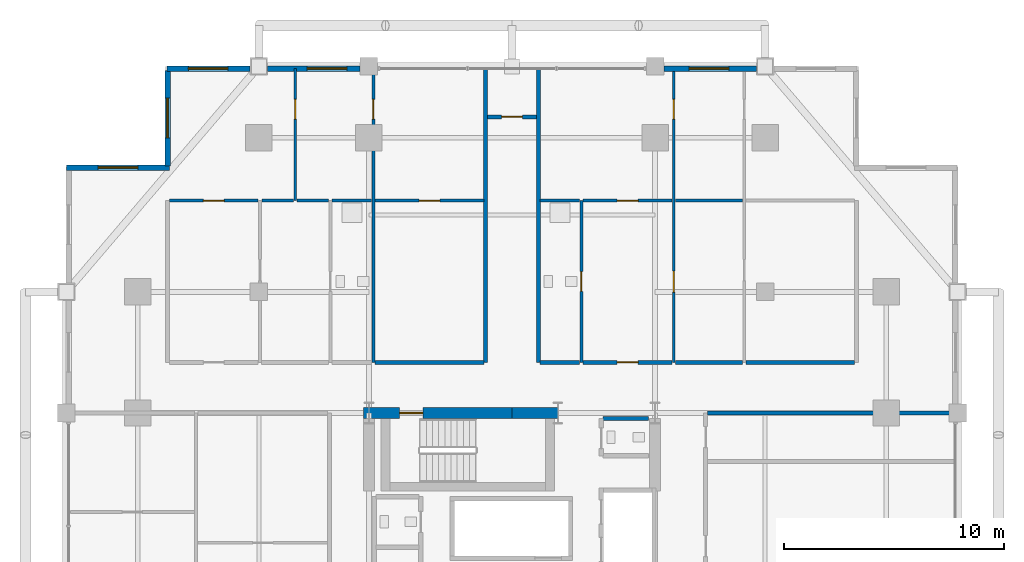
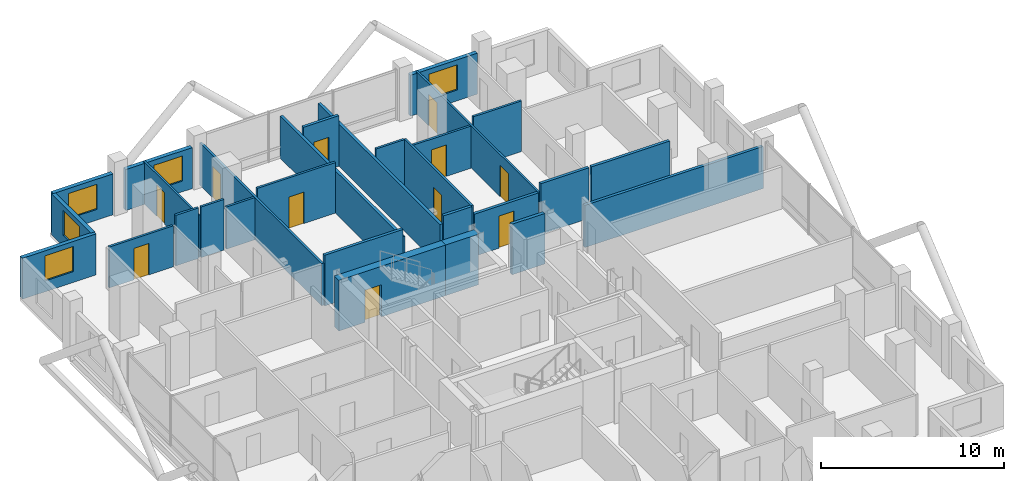
# One storey, part 22 of 25: 29 walls, 11 doors, 5 windows, 16 openings.
"""IFC4 building model written with IfcOpenShell, lengths in metres."""

import ifcopenshell
import ifcopenshell.guid

model = None  # the IFC model being written
_history = None  # IfcOwnerHistory: only IFC2X3 demands one
_inside = {}  # id of a spatial element -> (the spatial element, [elements in it])
_under = {}  # id of a project, library or spatial element -> (it, [spatial elements below it])
_declared = {}  # id of a project -> (the project, [libraries it declares])
_typed = {}  # id of a type object -> (the type object, [elements of that type])
_made_of = {}  # id of a material, layer set ... -> (it, [elements and type objects made of it])


def new_model(schema):
    """Start an empty IFC model of exactly this schema.

    Asked for "IFC4X3", IfcOpenShell would pick the latest addendum, in which some entities
    have other attributes; the version numbers below select the first issue.
    IFC2X3 requires an IfcOwnerHistory on every rooted entity: one is made here for all.
    """
    global model, _history
    if schema == "IFC4X3":
        model = ifcopenshell.file(schema_version=(4, 3, 0, 0))
    else:
        model = ifcopenshell.file(schema=schema)
    _inside.clear()
    _under.clear()
    _declared.clear()
    _typed.clear()
    _made_of.clear()
    _history = None
    if model.schema == "IFC2X3":
        org = make("IfcOrganization", Name="unknown")
        user = make(
            "IfcPersonAndOrganization",
            ThePerson=make("IfcPerson", FamilyName="unknown"),
            TheOrganization=org,
        )
        app = make(
            "IfcApplication",
            ApplicationDeveloper=org,
            Version="unknown",
            ApplicationFullName="unknown",
            ApplicationIdentifier="unknown",
        )
        _history = make(
            "IfcOwnerHistory",
            OwningUser=user,
            OwningApplication=app,
            ChangeAction="ADDED",
            CreationDate=0,
        )
    return model


def make(cls, **values):
    """One entity of the class cls with the attributes given. An attribute that is None is left unset."""
    return model.create_entity(
        cls, **{name: value for name, value in values.items() if value is not None}
    )


def rooted(cls, **values):
    """An entity with a GlobalId (a new one), such as an element, a storey or a relation."""
    return make(cls, GlobalId=ifcopenshell.guid.new(), OwnerHistory=_history, **values)


def si_unit(unit_type, name, prefix=None):
    """IfcSIUnit, for example si_unit("LENGTHUNIT", "METRE", prefix="MILLI")."""
    return make("IfcSIUnit", UnitType=unit_type, Prefix=prefix, Name=name)


def assignment(units):
    """IfcUnitAssignment: the units of a project."""
    return None if units is None else make("IfcUnitAssignment", Units=units)


def point(xyz):
    """IfcCartesianPoint."""
    return None if xyz is None else make("IfcCartesianPoint", Coordinates=xyz)


def direction(xyz):
    """IfcDirection."""
    return None if xyz is None else make("IfcDirection", DirectionRatios=xyz)


def frame(location, z_axis=None, x_axis=None):
    """IfcAxis2Placement3D, a coordinate frame: its origin and axes. An axis left out is left unset."""
    return make(
        "IfcAxis2Placement3D",
        Location=point(location),
        Axis=direction(z_axis),
        RefDirection=direction(x_axis),
    )


def frame_2d(location, x_axis=None):
    """IfcAxis2Placement2D, a coordinate frame in the plane: its origin and x axis."""
    return make(
        "IfcAxis2Placement2D", Location=point(location), RefDirection=direction(x_axis)
    )


def origin():
    """The frame at (0, 0, 0) with its axes left unset."""
    return frame((0.0, 0.0, 0.0))


def place(relative_to, where):
    """IfcLocalPlacement: puts the frame where relative to a parent placement (None: the world)."""
    return make(
        "IfcLocalPlacement", PlacementRelTo=relative_to, RelativePlacement=where
    )


def context(
    kind, dimensions, precision=None, world=None, true_north=None, identifier=None
):
    """IfcGeometricRepresentationContext, for example the 3D "Model" context."""
    return make(
        "IfcGeometricRepresentationContext",
        ContextIdentifier=identifier,
        ContextType=kind,
        CoordinateSpaceDimension=dimensions,
        Precision=precision,
        WorldCoordinateSystem=world,
        TrueNorth=true_north,
    )


def subcontext(parent, identifier, kind, view, scale=None):
    """IfcGeometricRepresentationSubContext, for example "Body" below "Model"."""
    return make(
        "IfcGeometricRepresentationSubContext",
        ContextIdentifier=identifier,
        ContextType=kind,
        ParentContext=parent,
        TargetScale=scale,
        TargetView=view,
    )


def project(units=None, contexts=None):
    """IfcProject with its units and contexts."""
    return rooted(
        "IfcProject",
        Name="project",
        RepresentationContexts=contexts,
        UnitsInContext=assignment(units),
    )


def spatial(cls, under=None, at=None, **own):
    """A site, building, storey or space (cls), placed at a placement, below another one or the project."""
    s = rooted(cls, ObjectPlacement=at, **own)
    if under is not None:
        _under.setdefault(under.id(), (under, []))[1].append(s)
    return s


def profile(cls, at=None, kind="AREA", **sizes):
    """A parametric profile (cls). Its sizes go by their IFC names, for example OverallWidth=200.0."""
    return make(cls, ProfileType=kind, Position=at, **sizes)


def rectangle(**sizes):
    """IfcRectangleProfileDef."""
    return profile("IfcRectangleProfileDef", **sizes)


def extrude(swept, where, along, depth):
    """IfcExtrudedAreaSolid: the profile swept, set in the frame where, extruded along a direction by depth."""
    return make(
        "IfcExtrudedAreaSolid",
        SweptArea=swept,
        Position=where,
        ExtrudedDirection=direction(along),
        Depth=depth,
    )


def shape(context_of_items, identifier, shape_type, items):
    """IfcShapeRepresentation: the items that make up one representation, for example the "Body"."""
    return make(
        "IfcShapeRepresentation",
        ContextOfItems=context_of_items,
        RepresentationIdentifier=identifier,
        RepresentationType=shape_type,
        Items=items,
    )


def material(Name=None, Category=None):
    """IfcMaterial."""
    return make("IfcMaterial", Name=Name, Category=Category)


def layer(
    of_material, thickness, ventilated=None, Name=None, Category=None, Priority=None
):
    """IfcMaterialLayer: one layer of a wall or slab, of a material (None: an air gap)."""
    return make(
        "IfcMaterialLayer",
        Material=of_material,
        LayerThickness=thickness,
        IsVentilated=ventilated,
        Name=Name,
        Category=Category,
        Priority=Priority,
    )


def layer_set(layers, Name=None):
    """IfcMaterialLayerSet."""
    return make("IfcMaterialLayerSet", MaterialLayers=layers, LayerSetName=Name)


def made_of(thing, what):
    """Note that an element or type object is made of a material, layer set ...; save() writes the relation."""
    if what is not None:
        _made_of.setdefault(what.id(), (what, []))[1].append(thing)
    return thing


def type_object(cls, material=None, **own):
    """A type object (cls), such as IfcWallType, which elements share."""
    return made_of(rooted(cls, **own), material)


def element(
    cls,
    number,
    at=None,
    inside=None,
    cuts=None,
    type_object=None,
    material=None,
    context=None,
    identifier="Body",
    shape_type=None,
    held_by="IfcProductDefinitionShape",
    body=None,
    shapes=None,
    **own,
):
    """One element of the class cls, such as IfcWall. Its Tag is "e" and its number.

    at: its placement. inside: the storey or other place that contains it. cuts: it is an
    opening in that element (IfcRelVoidsElement). A single representation is given by context,
    identifier, shape_type and body (its items); several are given by shapes. held_by: the class
    of the entity that holds the representations. save() writes the other relations.
    """
    e = rooted(cls, Tag="e%d" % number, ObjectPlacement=at, **own)
    if body is not None:
        shapes = [shape(context, identifier, shape_type, body)]
    if shapes is not None:
        e.Representation = make(held_by, Representations=shapes)
    if inside is not None:
        _inside.setdefault(inside.id(), (inside, []))[1].append(e)
    if cuts is not None:
        rooted(
            "IfcRelVoidsElement", RelatingBuildingElement=cuts, RelatedOpeningElement=e
        )
    if type_object is not None:
        _typed.setdefault(type_object.id(), (type_object, []))[1].append(e)
    return made_of(e, material)


def fill(opening, filler):
    """IfcRelFillsElement: the door or window that sits in an opening."""
    return rooted(
        "IfcRelFillsElement",
        RelatingOpeningElement=opening,
        RelatedBuildingElement=filler,
    )


def aggregate(whole, parts):
    """IfcRelAggregates: a whole, such as a stair, and the parts it consists of."""
    return rooted("IfcRelAggregates", RelatingObject=whole, RelatedObjects=parts)


def save(model, path):
    """Write the relations noted so far, then the file.

    IfcRelAggregates (storeys below a building ...), IfcRelContainedInSpatialStructure (elements
    in a storey), IfcRelDefinesByType, IfcRelAssociatesMaterial and IfcRelDeclares: one each for
    every whole, place, type object, material and project.
    """
    for whole, parts in _under.values():
        aggregate(whole, parts)
    for where, things in _inside.values():
        rooted(
            "IfcRelContainedInSpatialStructure",
            RelatedElements=things,
            RelatingStructure=where,
        )
    for kind, things in _typed.values():
        rooted("IfcRelDefinesByType", RelatedObjects=things, RelatingType=kind)
    for what, things in _made_of.values():
        rooted("IfcRelAssociatesMaterial", RelatedObjects=things, RelatingMaterial=what)
    for by, libraries in _declared.values():
        rooted("IfcRelDeclares", RelatingContext=by, RelatedDefinitions=libraries)
    model.write(path)


model = new_model("IFC4")

# Units and contexts
model_context = context("Model", 3, precision=1e-05, world=origin(), true_north=direction((0.0, 1.0)))
body_context = subcontext(model_context, "Body", "Model", "MODEL_VIEW")
ifc_project = project(units=[si_unit("LENGTHUNIT", "METRE"), si_unit("AREAUNIT", "SQUARE_METRE"), si_unit("VOLUMEUNIT", "CUBIC_METRE"), si_unit("PLANEANGLEUNIT", "RADIAN"), si_unit("MASSUNIT", "GRAM", prefix="KILO")], contexts=[model_context])

# Site, building, storey
site_placement = place(None, origin())
site = spatial("IfcSite", under=ifc_project, at=site_placement, CompositionType="ELEMENT")
building_placement = place(site_placement, origin())
building = spatial("IfcBuilding", under=site, at=building_placement, Name="Barlavira Tower and Art Museum", CompositionType="ELEMENT")
storey_placement = place(building_placement, frame((0.0, 0.0, 133.199951171875)))
storey = spatial("IfcBuildingStorey", under=building, at=storey_placement, Name="L33", CompositionType="ELEMENT", Elevation=133.199951171875)

# Wall, opening, door
ifc_material_1 = material(Name="Gypsum acoustic stud partition", Category="gypsum")
ifc_layer_1 = layer(ifc_material_1, 0.1201171875, Name="Gypsum acoustic stud partition")
ifc_layer_set_1 = layer_set([ifc_layer_1], Name="Gypsum acoustic stud partition")
wall_type_1 = type_object("IfcWallType", Name="Apartment Internal Acoustic Partition 120", PredefinedType="PARTITIONING", material=ifc_layer_set_1)
wall_1_placement = place(storey_placement, frame((-9.85009765625, 17.14990234375, 0.0), z_axis=(0.0, 0.0, 1.0), x_axis=(0.0, 1.0, 0.0)))
wall_1 = element("IfcWall", 1, at=wall_1_placement, inside=storey, type_object=wall_type_1, Name="L33 Partition Wall 7", PredefinedType="PARTITIONING", context=body_context, shape_type="SweptSolid", body=[
    extrude(rectangle(XDim=6.0, YDim=0.1201171875, at=frame_2d((3.0, 0.0))), origin(), (0.0, 0.0, 1.0), 2.816162109375),
])
opening_1_placement = place(wall_1_placement, frame((3.701171875, 0.0, 0.0)))
opening_1 = element("IfcOpeningElement", 2, at=opening_1_placement, cuts=wall_1, Name="Opening D-01", PredefinedType="OPENING", context=body_context, shape_type="SweptSolid", body=[
    extrude(rectangle(XDim=0.89990234375, YDim=2.10009765625, at=frame_2d((0.449951171875, 1.050048828125))), frame((0.0, 0.070068359375, 0.0), z_axis=(0.0, -1.0, 0.0), x_axis=(1.0, 0.0, 0.0)), (0.0, 0.0, 1.0), 0.14013671875),
])
ifc_material_2 = material(Name="Engineered coastal hardwood", Category="wood")
door_type_1 = type_object("IfcDoorType", Name="Internal Bedroom Timber Flush Door 900x2100", OperationType="NOTDEFINED", PredefinedType="DOOR", material=ifc_material_2)
door_1_placement = place(opening_1_placement, origin())
door_1 = element("IfcDoor", 3, at=door_1_placement, inside=storey, type_object=door_type_1, Name="Apartment NW1 Bedroom 1 Door", OperationType="SINGLE_SWING_RIGHT", OverallHeight=2.10009765625, OverallWidth=0.89990234375, PredefinedType="DOOR", context=body_context, shape_type="SweptSolid", body=[
    extrude(rectangle(XDim=0.89990234375, YDim=2.10009765625, at=frame_2d((0.449951171875, 1.050048828125))), frame((0.0, 0.02490234375, 0.0), z_axis=(0.0, -1.0, 0.0), x_axis=(1.0, 0.0, 0.0)), (0.0, 0.0, 1.0), 0.050048828125),
])
fill(opening_1, door_1)

# Wall, openings, doors
wall_2_placement = place(storey_placement, frame((7.35009765625, 9.800048828125, 0.0), z_axis=(0.0, 0.0, 1.0), x_axis=(0.0, 1.0, 0.0)))
wall_2 = element("IfcWall", 4, at=wall_2_placement, inside=storey, type_object=wall_type_1, Name="L33 Partition Wall 23", PredefinedType="PARTITIONING", context=body_context, shape_type="SweptSolid", body=[
    extrude(rectangle(XDim=13.349853515625, YDim=0.1201171875, at=frame_2d((6.6748046875, 0.0))), origin(), (0.0, 0.0, 1.0), 2.816162109375),
])
opening_2_placement = place(wall_2_placement, frame((3.195068359375, 0.0, 0.0)))
opening_2 = element("IfcOpeningElement", 5, at=opening_2_placement, cuts=wall_2, Name="Opening D-02", PredefinedType="OPENING", context=body_context, shape_type="SweptSolid", body=[
    extrude(rectangle(XDim=0.949951171875, YDim=2.10009765625, at=frame_2d((0.47509765625, 1.050048828125))), frame((0.0, 0.070068359375, 0.0), z_axis=(0.0, -1.0, 0.0), x_axis=(1.0, 0.0, 0.0)), (0.0, 0.0, 1.0), 0.14013671875),
])
opening_3_placement = place(wall_2_placement, frame((11.051025390625, 0.0, 0.0)))
opening_3 = element("IfcOpeningElement", 6, at=opening_3_placement, cuts=wall_2, Name="Opening D-01", PredefinedType="OPENING", context=body_context, shape_type="SweptSolid", body=[
    extrude(rectangle(XDim=0.89990234375, YDim=2.10009765625, at=frame_2d((0.449951171875, 1.050048828125))), frame((0.0, 0.070068359375, 0.0), z_axis=(0.0, -1.0, 0.0), x_axis=(1.0, 0.0, 0.0)), (0.0, 0.0, 1.0), 0.14013671875),
])
door_2_placement = place(opening_3_placement, origin())
door_2 = element("IfcDoor", 7, at=door_2_placement, inside=storey, type_object=door_type_1, Name="Apartment NE1 Bedroom 1 Door", OperationType="SINGLE_SWING_LEFT", OverallHeight=2.10009765625, OverallWidth=0.89990234375, PredefinedType="DOOR", context=body_context, shape_type="SweptSolid", body=[
    extrude(rectangle(XDim=0.89990234375, YDim=2.10009765625, at=frame_2d((0.449951171875, 1.050048828125))), frame((0.0, 0.02490234375, 0.0), z_axis=(0.0, -1.0, 0.0), x_axis=(1.0, 0.0, 0.0)), (0.0, 0.0, 1.0), 0.050048828125),
])
fill(opening_3, door_2)
door_type_2 = type_object("IfcDoorType", Name="Living and Salon Glazed-Leaf Door 950x2100", OperationType="NOTDEFINED", PredefinedType="DOOR", material=ifc_material_2)
door_3_placement = place(opening_2_placement, origin())
door_3 = element("IfcDoor", 8, at=door_3_placement, inside=storey, type_object=door_type_2, Name="Apartment NE1 Kitchen Door", OperationType="SINGLE_SWING_RIGHT", OverallHeight=2.10009765625, OverallWidth=0.949951171875, PredefinedType="DOOR", context=body_context, shape_type="SweptSolid", body=[
    extrude(rectangle(XDim=0.949951171875, YDim=2.10009765625, at=frame_2d((0.47509765625, 1.050048828125))), frame((0.0, 0.02490234375, 0.0), z_axis=(0.0, -1.0, 0.0), x_axis=(1.0, 0.0, 0.0)), (0.0, 0.0, 1.0), 0.050048828125),
])
fill(opening_2, door_3)

# Wall, opening, door
ifc_material_3 = material(Name="Concrete C60", Category="concrete")
ifc_layer_2 = layer(ifc_material_3, 0.5, Name="Concrete C60")
ifc_layer_set_2 = layer_set([ifc_layer_2], Name="Concrete C60")
wall_type_2 = type_object("IfcWallType", Name="Core Structural Shear Wall 500 Concrete C60", PredefinedType="SHEAR", material=ifc_layer_set_2)
wall_3_placement = place(storey_placement, frame((-6.75, 7.5, 0.0), z_axis=(0.0, 0.0, 1.0), x_axis=(1.0, 0.0, 0.0)))
wall_3 = element("IfcWall", 9, at=wall_3_placement, inside=storey, type_object=wall_type_2, Name="L33 Core Shear Wall CS-NW", PredefinedType="SHEAR", context=body_context, shape_type="SweptSolid", body=[
    extrude(rectangle(XDim=6.75, YDim=0.5, at=frame_2d((3.375, 0.0))), origin(), (0.0, 0.0, 1.0), 3.380126953125),
])
opening_4_placement = place(wall_3_placement, frame((1.64990234375, 0.0, 0.0)))
opening_4 = element("IfcOpeningElement", 10, at=opening_4_placement, cuts=wall_3, Name="Opening FD-90", PredefinedType="OPENING", context=body_context, shape_type="SweptSolid", body=[
    extrude(rectangle(XDim=1.050048828125, YDim=2.14990234375, at=frame_2d((0.52490234375, 1.074951171875))), frame((0.0, 0.260009765625, 0.0), z_axis=(0.0, -1.0, 0.0), x_axis=(1.0, 0.0, 0.0)), (0.0, 0.0, 1.0), 0.52001953125),
])
ifc_material_4 = material(Name="Brushed stainless steel", Category="steel")
door_type_3 = type_object("IfcDoorType", Name="Stair and Refuge Fire Door 1050x2150 FD90S", OperationType="NOTDEFINED", PredefinedType="DOOR", material=ifc_material_4)
door_4_placement = place(opening_4_placement, origin())
door_4 = element("IfcDoor", 11, at=door_4_placement, inside=storey, type_object=door_type_3, Name="L33 Stair ST-T2 Fire Door", OperationType="SINGLE_SWING_LEFT", OverallHeight=2.14990234375, OverallWidth=1.050048828125, PredefinedType="DOOR", context=body_context, shape_type="SweptSolid", body=[
    extrude(rectangle(XDim=1.050048828125, YDim=2.14990234375, at=frame_2d((0.52490234375, 1.074951171875))), frame((0.0, 0.02490234375, 0.0), z_axis=(0.0, -1.0, 0.0), x_axis=(1.0, 0.0, 0.0)), (0.0, 0.0, 1.0), 0.050048828125),
])
fill(opening_4, door_4)

# Walls
wall_4_placement = place(storey_placement, frame((0.0, 7.5, 0.0), z_axis=(0.0, 0.0, 1.0), x_axis=(1.0, 0.0, 0.0)))
element("IfcWall", 12, at=wall_4_placement, inside=storey, type_object=wall_type_2, Name="L33 Core Shear Wall CS-EN", PredefinedType="SHEAR", context=body_context, shape_type="SweptSolid", body=[
    extrude(rectangle(XDim=2.080078125, YDim=0.5, at=frame_2d((1.0400390625, 0.0))), origin(), (0.0, 0.0, 1.0), 3.380126953125),
])
ifc_material_5 = material(Name="Autoclaved aerated concrete masonry", Category="masonry")
ifc_layer_3 = layer(ifc_material_5, 0.199951171875, Name="Autoclaved aerated concrete masonry")
ifc_layer_set_3 = layer_set([ifc_layer_3], Name="Autoclaved aerated concrete masonry")
wall_type_3 = type_object("IfcWallType", Name="Fire Compartment and Shaft Wall 200", PredefinedType="SOLIDWALL", material=ifc_layer_set_3)
wall_5_placement = place(storey_placement, frame((4.1298828125, 7.25, 0.0), z_axis=(0.0, 0.0, 1.0), x_axis=(1.0, 0.0, 0.0)))
element("IfcWall", 13, at=wall_5_placement, inside=storey, type_object=wall_type_3, Name="L33 Partition Wall 61", PredefinedType="SOLIDWALL", context=body_context, shape_type="SweptSolid", body=[
    extrude(rectangle(XDim=2.070068359375, YDim=0.199951171875, at=frame_2d((1.03515625, 0.0))), origin(), (0.0, 0.0, 1.0), 3.380126953125),
])
ifc_layer_4 = layer(ifc_material_1, 0.179931640625, Name="Gypsum acoustic stud partition")
ifc_layer_set_4 = layer_set([ifc_layer_4], Name="Gypsum acoustic stud partition")
wall_type_4 = type_object("IfcWallType", Name="Inter-Tenancy Party Partition Wall 180", PredefinedType="PARTITIONING", material=ifc_layer_set_4)
for number, where, z_axis, x_axis, name in (
    (14, (-1.199951171875, 9.800048828125, 0.0), (0.0, 0.0, 1.0), (0.0, 1.0, 0.0), "L33 Partition Wall 16"),
    (15, (1.199951171875, 9.800048828125, 0.0), (0.0, 0.0, 1.0), (0.0, 1.0, 0.0), "L33 Partition Wall 18"),
):
    element("IfcWall", number, at=place(storey_placement, frame(where, z_axis=z_axis, x_axis=x_axis)), inside=storey, type_object=wall_type_4, Name=name, PredefinedType="PARTITIONING", context=body_context, shape_type="SweptSolid", body=[
        extrude(rectangle(XDim=13.349853515625, YDim=0.179931640625, at=frame_2d((6.6748046875, 0.0))), origin(), (0.0, 0.0, 1.0), 2.816162109375),
    ])
wall_6_placement = place(storey_placement, frame((8.8798828125, 7.5, 0.0), z_axis=(0.0, 0.0, 1.0), x_axis=(1.0, 0.0, 0.0)))
element("IfcWall", 16, at=wall_6_placement, inside=storey, type_object=wall_type_4, Name="L33 Partition Wall 64", PredefinedType="PARTITIONING", context=body_context, shape_type="SweptSolid", body=[
    extrude(rectangle(XDim=11.27001953125, YDim=0.179931640625, at=frame_2d((5.635009765625, 0.0))), origin(), (0.0, 0.0, 1.0), 2.816162109375),
])
wall_7_placement = place(storey_placement, frame((-6.219970703125, 9.800048828125, 0.0), z_axis=(0.0, 0.0, 1.0), x_axis=(1.0, 0.0, 0.0)))
element("IfcWall", 17, at=wall_7_placement, inside=storey, type_object=wall_type_4, Name="L33 Partition Wall 68", PredefinedType="PARTITIONING", context=body_context, shape_type="SweptSolid", body=[
    extrude(rectangle(XDim=4.93994140625, YDim=0.179931640625, at=frame_2d((2.469970703125, 0.0))), origin(), (0.0, 0.0, 1.0), 3.380126953125),
])
wall_8_placement = place(storey_placement, frame((1.280029296875, 9.800048828125, 0.0), z_axis=(0.0, 0.0, 1.0), x_axis=(1.0, 0.0, 0.0)))
element("IfcWall", 18, at=wall_8_placement, inside=storey, type_object=wall_type_4, Name="L33 Partition Wall 69", PredefinedType="PARTITIONING", context=body_context, shape_type="SweptSolid", body=[
    extrude(rectangle(XDim=1.7900390625, YDim=0.179931640625, at=frame_2d((0.89501953125, 0.0))), origin(), (0.0, 0.0, 1.0), 3.380126953125),
])

# Wall, opening, door
wall_9_placement = place(storey_placement, frame((3.22998046875, 9.800048828125, 0.0), z_axis=(0.0, 0.0, 1.0), x_axis=(1.0, 0.0, 0.0)))
wall_9 = element("IfcWall", 19, at=wall_9_placement, inside=storey, type_object=wall_type_4, Name="L33 Partition Wall 70", PredefinedType="PARTITIONING", context=body_context, shape_type="SweptSolid", body=[
    extrude(rectangle(XDim=4.0400390625, YDim=0.179931640625, at=frame_2d((2.02001953125, 0.0))), origin(), (0.0, 0.0, 1.0), 2.816162109375),
])
opening_5_placement = place(wall_9_placement, frame((1.544921875, 0.0, 0.0)))
opening_5 = element("IfcOpeningElement", 20, at=opening_5_placement, cuts=wall_9, Name="Opening FD-60", PredefinedType="OPENING", context=body_context, shape_type="SweptSolid", body=[
    extrude(rectangle(XDim=0.949951171875, YDim=2.14990234375, at=frame_2d((0.47509765625, 1.074951171875))), frame((0.0, 0.10009765625, 0.0), z_axis=(0.0, -1.0, 0.0), x_axis=(1.0, 0.0, 0.0)), (0.0, 0.0, 1.0), 0.199951171875),
])
door_type_4 = type_object("IfcDoorType", Name="Apartment Entrance and Riser Fire Door 950x2150 FD60S", OperationType="NOTDEFINED", PredefinedType="DOOR", material=ifc_material_4)
door_5_placement = place(opening_5_placement, origin())
door_5 = element("IfcDoor", 21, at=door_5_placement, inside=storey, type_object=door_type_4, Name="Apartment Entrance Hall NE1 Door", OperationType="SINGLE_SWING_LEFT", OverallHeight=2.14990234375, OverallWidth=0.949951171875, PredefinedType="DOOR", context=body_context, shape_type="SweptSolid", body=[
    extrude(rectangle(XDim=0.949951171875, YDim=2.14990234375, at=frame_2d((0.47509765625, 1.074951171875))), frame((0.0, 0.02490234375, 0.0), z_axis=(0.0, -1.0, 0.0), x_axis=(1.0, 0.0, 0.0)), (0.0, 0.0, 1.0), 0.050048828125),
])
fill(opening_5, door_5)

# Walls
wall_10_placement = place(storey_placement, frame((7.429931640625, 9.800048828125, 0.0), z_axis=(0.0, 0.0, 1.0), x_axis=(1.0, 0.0, 0.0)))
element("IfcWall", 22, at=wall_10_placement, inside=storey, type_object=wall_type_4, Name="L33 Partition Wall 71", PredefinedType="PARTITIONING", context=body_context, shape_type="SweptSolid", body=[
    extrude(rectangle(XDim=3.0400390625, YDim=0.179931640625, at=frame_2d((1.52001953125, 0.0))), origin(), (0.0, 0.0, 1.0), 3.380126953125),
])
wall_11_placement = place(storey_placement, frame((10.6298828125, 9.800048828125, 0.0), z_axis=(0.0, 0.0, 1.0), x_axis=(1.0, 0.0, 0.0)))
element("IfcWall", 23, at=wall_11_placement, inside=storey, type_object=wall_type_4, Name="L33 Partition Wall 72", PredefinedType="PARTITIONING", context=body_context, shape_type="SweptSolid", body=[
    extrude(rectangle(XDim=4.940185546875, YDim=0.179931640625, at=frame_2d((2.47021484375, 0.0))), origin(), (0.0, 0.0, 1.0), 3.380126953125),
])

# Wall, opening, door
wall_12_placement = place(storey_placement, frame((-1.1201171875, 20.949951171875, 0.0), z_axis=(0.0, 0.0, 1.0), x_axis=(1.0, 0.0, 0.0)))
wall_12 = element("IfcWall", 24, at=wall_12_placement, inside=storey, type_object=wall_type_4, Name="L33 Partition Wall 82", PredefinedType="PARTITIONING", context=body_context, shape_type="SweptSolid", body=[
    extrude(rectangle(XDim=2.240234375, YDim=0.179931640625, at=frame_2d((1.1201171875, 0.0))), origin(), (0.0, 0.0, 1.0), 3.380126953125),
])
opening_6_placement = place(wall_12_placement, frame((0.64501953125, 0.0, 0.0)))
opening_6 = element("IfcOpeningElement", 25, at=opening_6_placement, cuts=wall_12, Name="Opening FD-60", PredefinedType="OPENING", context=body_context, shape_type="SweptSolid", body=[
    extrude(rectangle(XDim=0.949951171875, YDim=2.14990234375, at=frame_2d((0.47509765625, 1.074951171875))), frame((0.0, 0.10009765625, 0.0), z_axis=(0.0, -1.0, 0.0), x_axis=(1.0, 0.0, 0.0)), (0.0, 0.0, 1.0), 0.199951171875),
])
door_6_placement = place(opening_6_placement, origin())
door_6 = element("IfcDoor", 26, at=door_6_placement, inside=storey, type_object=door_type_4, Name="L33 North Ocean Alcove Door", OperationType="SINGLE_SWING_RIGHT", OverallHeight=2.14990234375, OverallWidth=0.949951171875, PredefinedType="DOOR", context=body_context, shape_type="SweptSolid", body=[
    extrude(rectangle(XDim=0.949951171875, YDim=2.14990234375, at=frame_2d((0.47509765625, 1.074951171875))), frame((0.0, 0.02490234375, 0.0), z_axis=(0.0, -1.0, 0.0), x_axis=(1.0, 0.0, 0.0)), (0.0, 0.0, 1.0), 0.050048828125),
])
fill(opening_6, door_6)

ifc_layer_5 = layer(ifc_material_1, 0.139892578125, Name="Gypsum acoustic stud partition")
ifc_layer_set_5 = layer_set([ifc_layer_5], Name="Gypsum acoustic stud partition")
wall_type_5 = type_object("IfcWallType", Name="Moisture-Resistant Bathroom Partition 140", PredefinedType="PARTITIONING", material=ifc_layer_set_5)
wall_13_placement = place(storey_placement, frame((-6.300048828125, 9.800048828125, 0.0), z_axis=(0.0, 0.0, 1.0), x_axis=(0.0, 1.0, 0.0)))
wall_13 = element("IfcWall", 27, at=wall_13_placement, inside=storey, type_object=wall_type_5, Name="L33 Partition Wall 12", PredefinedType="PARTITIONING", context=body_context, shape_type="SweptSolid", body=[
    extrude(rectangle(XDim=13.349853515625, YDim=0.139892578125, at=frame_2d((6.6748046875, 0.0))), origin(), (0.0, 0.0, 1.0), 2.816162109375),
])
opening_7_placement = place(wall_13_placement, frame((11.051025390625, 0.0, 0.0)))
opening_7 = element("IfcOpeningElement", 28, at=opening_7_placement, cuts=wall_13, Name="Opening D-01", PredefinedType="OPENING", context=body_context, shape_type="SweptSolid", body=[
    extrude(rectangle(XDim=0.89990234375, YDim=2.10009765625, at=frame_2d((0.449951171875, 1.050048828125))), frame((0.0, 0.080078125, 0.0), z_axis=(0.0, -1.0, 0.0), x_axis=(1.0, 0.0, 0.0)), (0.0, 0.0, 1.0), 0.159912109375),
])
door_7_placement = place(opening_7_placement, origin())
door_7 = element("IfcDoor", 29, at=door_7_placement, inside=storey, type_object=door_type_1, Name="Apartment NW1 Bedroom 2 Door", OperationType="SINGLE_SWING_LEFT", OverallHeight=2.10009765625, OverallWidth=0.89990234375, PredefinedType="DOOR", context=body_context, shape_type="SweptSolid", body=[
    extrude(rectangle(XDim=0.89990234375, YDim=2.10009765625, at=frame_2d((0.449951171875, 1.050048828125))), frame((0.0, 0.02490234375, 0.0), z_axis=(0.0, -1.0, 0.0), x_axis=(1.0, 0.0, 0.0)), (0.0, 0.0, 1.0), 0.050048828125),
])
fill(opening_7, door_7)

wall_14_placement = place(storey_placement, frame((3.14990234375, 9.800048828125, 0.0), z_axis=(0.0, 0.0, 1.0), x_axis=(0.0, 1.0, 0.0)))
wall_14 = element("IfcWall", 30, at=wall_14_placement, inside=storey, type_object=wall_type_5, Name="L33 Partition Wall 20", PredefinedType="PARTITIONING", context=body_context, shape_type="SweptSolid", body=[
    extrude(rectangle(XDim=7.349853515625, YDim=0.139892578125, at=frame_2d((3.6748046875, 0.0))), origin(), (0.0, 0.0, 1.0), 3.380126953125),
])
opening_8_placement = place(wall_14_placement, frame((3.219970703125, 0.0, 0.0)))
opening_8 = element("IfcOpeningElement", 31, at=opening_8_placement, cuts=wall_14, Name="Opening D-WC", PredefinedType="OPENING", context=body_context, shape_type="SweptSolid", body=[
    extrude(rectangle(XDim=0.89990234375, YDim=2.10009765625, at=frame_2d((0.449951171875, 1.050048828125))), frame((0.0, 0.080078125, 0.0), z_axis=(0.0, -1.0, 0.0), x_axis=(1.0, 0.0, 0.0)), (0.0, 0.0, 1.0), 0.159912109375),
])
door_type_5 = type_object("IfcDoorType", Name="Accessible Bathroom Flush Door 900x2100", OperationType="NOTDEFINED", PredefinedType="DOOR", material=ifc_material_2)
door_8_placement = place(opening_8_placement, origin())
door_8 = element("IfcDoor", 32, at=door_8_placement, inside=storey, type_object=door_type_5, Name="Apartment NE1 Hall Bathroom Door", OperationType="SINGLE_SWING_RIGHT", OverallHeight=2.10009765625, OverallWidth=0.89990234375, PredefinedType="DOOR", context=body_context, shape_type="SweptSolid", body=[
    extrude(rectangle(XDim=0.89990234375, YDim=2.10009765625, at=frame_2d((0.449951171875, 1.050048828125))), frame((0.0, 0.02490234375, 0.0), z_axis=(0.0, -1.0, 0.0), x_axis=(1.0, 0.0, 0.0)), (0.0, 0.0, 1.0), 0.050048828125),
])
fill(opening_8, door_8)

wall_15_placement = place(storey_placement, frame((-15.570068359375, 17.14990234375, 0.0), z_axis=(0.0, 0.0, 1.0), x_axis=(1.0, 0.0, 0.0)))
wall_15 = element("IfcWall", 33, at=wall_15_placement, inside=storey, type_object=wall_type_5, Name="L33 Partition Wall 73", PredefinedType="PARTITIONING", context=body_context, shape_type="SweptSolid", body=[
    extrude(rectangle(XDim=4.0400390625, YDim=0.139892578125, at=frame_2d((2.02001953125, 0.0))), origin(), (0.0, 0.0, 1.0), 2.736083984375),
])
opening_9_placement = place(wall_15_placement, frame((1.544921875, 0.0, 0.0)))
opening_9 = element("IfcOpeningElement", 34, at=opening_9_placement, cuts=wall_15, Name="Opening D-02", PredefinedType="OPENING", context=body_context, shape_type="SweptSolid", body=[
    extrude(rectangle(XDim=0.949951171875, YDim=2.10009765625, at=frame_2d((0.47509765625, 1.050048828125))), frame((0.0, 0.080078125, 0.0), z_axis=(0.0, -1.0, 0.0), x_axis=(1.0, 0.0, 0.0)), (0.0, 0.0, 1.0), 0.159912109375),
])
door_9_placement = place(opening_9_placement, origin())
door_9 = element("IfcDoor", 35, at=door_9_placement, inside=storey, type_object=door_type_2, Name="Apartment NW1 Living Lounge Door", OperationType="SINGLE_SWING_LEFT", OverallHeight=2.10009765625, OverallWidth=0.949951171875, PredefinedType="DOOR", context=body_context, shape_type="SweptSolid", body=[
    extrude(rectangle(XDim=0.949951171875, YDim=2.10009765625, at=frame_2d((0.47509765625, 1.050048828125))), frame((0.0, 0.02490234375, 0.0), z_axis=(0.0, -1.0, 0.0), x_axis=(1.0, 0.0, 0.0)), (0.0, 0.0, 1.0), 0.050048828125),
])
fill(opening_9, door_9)

# Walls
wall_16_placement = place(storey_placement, frame((-11.3701171875, 17.14990234375, 0.0), z_axis=(0.0, 0.0, 1.0), x_axis=(1.0, 0.0, 0.0)))
element("IfcWall", 36, at=wall_16_placement, inside=storey, type_object=wall_type_5, Name="L33 Partition Wall 74", PredefinedType="PARTITIONING", context=body_context, shape_type="SweptSolid", body=[
    extrude(rectangle(XDim=1.440185546875, YDim=0.139892578125, at=frame_2d((0.72021484375, 0.0))), origin(), (0.0, 0.0, 1.0), 3.380126953125),
])
wall_17_placement = place(storey_placement, frame((-9.77001953125, 17.14990234375, 0.0), z_axis=(0.0, 0.0, 1.0), x_axis=(1.0, 0.0, 0.0)))
element("IfcWall", 37, at=wall_17_placement, inside=storey, type_object=wall_type_5, Name="L33 Partition Wall 75", PredefinedType="PARTITIONING", context=body_context, shape_type="SweptSolid", body=[
    extrude(rectangle(XDim=1.43994140625, YDim=0.139892578125, at=frame_2d((0.719970703125, 0.0))), origin(), (0.0, 0.0, 1.0), 3.380126953125),
])
wall_18_placement = place(storey_placement, frame((-8.169921875, 17.14990234375, 0.0), z_axis=(0.0, 0.0, 1.0), x_axis=(1.0, 0.0, 0.0)))
element("IfcWall", 38, at=wall_18_placement, inside=storey, type_object=wall_type_5, Name="L33 Partition Wall 76", PredefinedType="PARTITIONING", context=body_context, shape_type="SweptSolid", body=[
    extrude(rectangle(XDim=1.7900390625, YDim=0.139892578125, at=frame_2d((0.89501953125, 0.0))), origin(), (0.0, 0.0, 1.0), 2.816162109375),
])

# Wall, opening, door
wall_19_placement = place(storey_placement, frame((-6.219970703125, 17.14990234375, 0.0), z_axis=(0.0, 0.0, 1.0), x_axis=(1.0, 0.0, 0.0)))
wall_19 = element("IfcWall", 39, at=wall_19_placement, inside=storey, type_object=wall_type_5, Name="L33 Partition Wall 77", PredefinedType="PARTITIONING", context=body_context, shape_type="SweptSolid", body=[
    extrude(rectangle(XDim=4.93994140625, YDim=0.139892578125, at=frame_2d((2.469970703125, 0.0))), origin(), (0.0, 0.0, 1.0), 3.380126953125),
])
opening_10_placement = place(wall_19_placement, frame((1.9951171875, 0.0, 0.0)))
opening_10 = element("IfcOpeningElement", 40, at=opening_10_placement, cuts=wall_19, Name="Opening D-02", PredefinedType="OPENING", context=body_context, shape_type="SweptSolid", body=[
    extrude(rectangle(XDim=0.949951171875, YDim=2.10009765625, at=frame_2d((0.47509765625, 1.050048828125))), frame((0.0, 0.080078125, 0.0), z_axis=(0.0, -1.0, 0.0), x_axis=(1.0, 0.0, 0.0)), (0.0, 0.0, 1.0), 0.159912109375),
])
door_10_placement = place(opening_10_placement, origin())
door_10 = element("IfcDoor", 41, at=door_10_placement, inside=storey, type_object=door_type_2, Name="Apartment NW1 Dining Salon Door", OperationType="SINGLE_SWING_RIGHT", OverallHeight=2.10009765625, OverallWidth=0.949951171875, PredefinedType="DOOR", context=body_context, shape_type="SweptSolid", body=[
    extrude(rectangle(XDim=0.949951171875, YDim=2.10009765625, at=frame_2d((0.47509765625, 1.050048828125))), frame((0.0, 0.02490234375, 0.0), z_axis=(0.0, -1.0, 0.0), x_axis=(1.0, 0.0, 0.0)), (0.0, 0.0, 1.0), 0.050048828125),
])
fill(opening_10, door_10)

# Wall
wall_20_placement = place(storey_placement, frame((1.280029296875, 17.14990234375, 0.0), z_axis=(0.0, 0.0, 1.0), x_axis=(1.0, 0.0, 0.0)))
element("IfcWall", 42, at=wall_20_placement, inside=storey, type_object=wall_type_5, Name="L33 Partition Wall 78", PredefinedType="PARTITIONING", context=body_context, shape_type="SweptSolid", body=[
    extrude(rectangle(XDim=1.7900390625, YDim=0.139892578125, at=frame_2d((0.89501953125, 0.0))), origin(), (0.0, 0.0, 1.0), 3.380126953125),
])

# Wall, opening, door
wall_21_placement = place(storey_placement, frame((3.22998046875, 17.14990234375, 0.0), z_axis=(0.0, 0.0, 1.0), x_axis=(1.0, 0.0, 0.0)))
wall_21 = element("IfcWall", 43, at=wall_21_placement, inside=storey, type_object=wall_type_5, Name="L33 Partition Wall 79", PredefinedType="PARTITIONING", context=body_context, shape_type="SweptSolid", body=[
    extrude(rectangle(XDim=4.0400390625, YDim=0.139892578125, at=frame_2d((2.02001953125, 0.0))), origin(), (0.0, 0.0, 1.0), 2.816162109375),
])
opening_11_placement = place(wall_21_placement, frame((1.544921875, 0.0, 0.0)))
opening_11 = element("IfcOpeningElement", 44, at=opening_11_placement, cuts=wall_21, Name="Opening D-02", PredefinedType="OPENING", context=body_context, shape_type="SweptSolid", body=[
    extrude(rectangle(XDim=0.949951171875, YDim=2.10009765625, at=frame_2d((0.47509765625, 1.050048828125))), frame((0.0, 0.080078125, 0.0), z_axis=(0.0, -1.0, 0.0), x_axis=(1.0, 0.0, 0.0)), (0.0, 0.0, 1.0), 0.159912109375),
])
door_11_placement = place(opening_11_placement, origin())
door_11 = element("IfcDoor", 45, at=door_11_placement, inside=storey, type_object=door_type_2, Name="Apartment NE1 Living Lounge Door", OperationType="SINGLE_SWING_RIGHT", OverallHeight=2.10009765625, OverallWidth=0.949951171875, PredefinedType="DOOR", context=body_context, shape_type="SweptSolid", body=[
    extrude(rectangle(XDim=0.949951171875, YDim=2.10009765625, at=frame_2d((0.47509765625, 1.050048828125))), frame((0.0, 0.02490234375, 0.0), z_axis=(0.0, -1.0, 0.0), x_axis=(1.0, 0.0, 0.0)), (0.0, 0.0, 1.0), 0.050048828125),
])
fill(opening_11, door_11)

# Wall
wall_22_placement = place(storey_placement, frame((7.429931640625, 17.14990234375, 0.0), z_axis=(0.0, 0.0, 1.0), x_axis=(1.0, 0.0, 0.0)))
element("IfcWall", 46, at=wall_22_placement, inside=storey, type_object=wall_type_5, Name="L33 Partition Wall 80", PredefinedType="PARTITIONING", context=body_context, shape_type="SweptSolid", body=[
    extrude(rectangle(XDim=3.0400390625, YDim=0.139892578125, at=frame_2d((1.52001953125, 0.0))), origin(), (0.0, 0.0, 1.0), 3.380126953125),
])

# Wall, opening, window
ifc_material_6 = material(Name="Precast concrete C40", Category="concrete")
ifc_layer_6 = layer(ifc_material_6, 0.25, Name="Precast concrete C40")
ifc_layer_set_6 = layer_set([ifc_layer_6], Name="Precast concrete C40")
wall_type_6 = type_object("IfcWallType", Name="Notched Corner Spandrel Wall 250 Precast Concrete C40", PredefinedType="SOLIDWALL", material=ifc_layer_set_6)
wall_23_placement = place(storey_placement, frame((11.10498046875, 23.14990234375, 0.0), z_axis=(0.0, 0.0, 1.0), x_axis=(-1.0, 0.0, 0.0)))
wall_23 = element("IfcWall", 47, at=wall_23_placement, inside=storey, type_object=wall_type_6, Name="L33 Coastal Facade Pier Wall CW2-L33-N-2", PredefinedType="SOLIDWALL", context=body_context, shape_type="SweptSolid", body=[
    extrude(rectangle(XDim=4.2099609375, YDim=0.25, at=frame_2d((2.10498046875, 0.0))), origin(), (0.0, 0.0, 1.0), 2.736083984375),
])
opening_12_placement = place(wall_23_placement, frame((1.2548828125, 0.0, 0.719970703125)))
opening_12 = element("IfcOpeningElement", 48, at=opening_12_placement, cuts=wall_23, Name="Opening WN-01", PredefinedType="OPENING", context=body_context, shape_type="SweptSolid", body=[
    extrude(rectangle(XDim=1.800048828125, YDim=1.679931640625, at=frame_2d((0.89990234375, 0.83984375))), frame((0.0, 0.135009765625, 0.0), z_axis=(0.0, -1.0, 0.0), x_axis=(1.0, 0.0, 0.0)), (0.0, 0.0, 1.0), 0.27001953125),
])
ifc_material_7 = material(Name="Low-iron coastal laminated glass", Category="glass")
window_type = type_object("IfcWindowType", Name="Recessed Notch Corner Punch Window 1800x1680", PartitioningType="SINGLE_PANEL", PredefinedType="WINDOW", material=ifc_material_7)
window_1_placement = place(opening_12_placement, origin())
window_1 = element("IfcWindow", 49, at=window_1_placement, inside=storey, type_object=window_type, Name="L33 Punched Facade Window EWP-CW2-L33-N-2-1", OverallHeight=1.679931640625, OverallWidth=1.800048828125, PartitioningType="SINGLE_PANEL", PredefinedType="WINDOW", context=body_context, shape_type="SweptSolid", body=[
    extrude(rectangle(XDim=1.800048828125, YDim=1.679931640625, at=frame_2d((0.89990234375, 0.83984375))), frame((0.0, 0.030029296875, 0.0), z_axis=(0.0, -1.0, 0.0), x_axis=(1.0, 0.0, 0.0)), (0.0, 0.0, 1.0), 0.06005859375),
])
fill(opening_12, window_1)

wall_24_placement = place(storey_placement, frame((-6.89501953125, 23.14990234375, 0.0), z_axis=(0.0, 0.0, 1.0), x_axis=(-1.0, 0.0, 0.0)))
wall_24 = element("IfcWall", 50, at=wall_24_placement, inside=storey, type_object=wall_type_6, Name="L33 Coastal Facade Pier Wall CW2-L33-N-4", PredefinedType="SOLIDWALL", context=body_context, shape_type="SweptSolid", body=[
    extrude(rectangle(XDim=4.2099609375, YDim=0.25, at=frame_2d((2.10498046875, 0.0))), origin(), (0.0, 0.0, 1.0), 2.736083984375),
])
opening_13_placement = place(wall_24_placement, frame((0.610107421875, 0.0, 0.719970703125)))
opening_13 = element("IfcOpeningElement", 51, at=opening_13_placement, cuts=wall_24, Name="Opening WN-01", PredefinedType="OPENING", context=body_context, shape_type="SweptSolid", body=[
    extrude(rectangle(XDim=1.800048828125, YDim=1.679931640625, at=frame_2d((0.89990234375, 0.83984375))), frame((0.0, 0.135009765625, 0.0), z_axis=(0.0, -1.0, 0.0), x_axis=(1.0, 0.0, 0.0)), (0.0, 0.0, 1.0), 0.27001953125),
])
window_2_placement = place(opening_13_placement, origin())
window_2 = element("IfcWindow", 52, at=window_2_placement, inside=storey, type_object=window_type, Name="L33 Punched Facade Window EWP-CW2-L33-N-4-1", OverallHeight=1.679931640625, OverallWidth=1.800048828125, PartitioningType="SINGLE_PANEL", PredefinedType="WINDOW", context=body_context, shape_type="SweptSolid", body=[
    extrude(rectangle(XDim=1.800048828125, YDim=1.679931640625, at=frame_2d((0.89990234375, 0.83984375))), frame((0.0, 0.030029296875, 0.0), z_axis=(0.0, -1.0, 0.0), x_axis=(1.0, 0.0, 0.0)), (0.0, 0.0, 1.0), 0.06005859375),
])
fill(opening_13, window_2)

wall_25_placement = place(storey_placement, frame((-11.89501953125, 23.14990234375, 0.0), z_axis=(0.0, 0.0, 1.0), x_axis=(-1.0, 0.0, 0.0)))
wall_25 = element("IfcWall", 53, at=wall_25_placement, inside=storey, type_object=wall_type_6, Name="L33 Coastal Facade Pier Wall CW2-L33-N-5", PredefinedType="SOLIDWALL", context=body_context, shape_type="SweptSolid", body=[
    extrude(rectangle(XDim=3.780029296875, YDim=0.25, at=frame_2d((1.89013671875, 0.0))), origin(), (0.0, 0.0, 1.0), 2.736083984375),
])
opening_14_placement = place(wall_25_placement, frame((1.012939453125, 0.0, 0.719970703125)))
opening_14 = element("IfcOpeningElement", 54, at=opening_14_placement, cuts=wall_25, Name="Opening WN-01", PredefinedType="OPENING", context=body_context, shape_type="SweptSolid", body=[
    extrude(rectangle(XDim=1.800048828125, YDim=1.679931640625, at=frame_2d((0.89990234375, 0.83984375))), frame((0.0, 0.135009765625, 0.0), z_axis=(0.0, -1.0, 0.0), x_axis=(1.0, 0.0, 0.0)), (0.0, 0.0, 1.0), 0.27001953125),
])
window_3_placement = place(opening_14_placement, origin())
window_3 = element("IfcWindow", 55, at=window_3_placement, inside=storey, type_object=window_type, Name="L33 Punched Facade Window EWP-CW2-L33-N-5-1", OverallHeight=1.679931640625, OverallWidth=1.800048828125, PartitioningType="SINGLE_PANEL", PredefinedType="WINDOW", context=body_context, shape_type="SweptSolid", body=[
    extrude(rectangle(XDim=1.800048828125, YDim=1.679931640625, at=frame_2d((0.89990234375, 0.83984375))), frame((0.0, 0.030029296875, 0.0), z_axis=(0.0, -1.0, 0.0), x_axis=(1.0, 0.0, 0.0)), (0.0, 0.0, 1.0), 0.06005859375),
])
fill(opening_14, window_3)

wall_26_placement = place(storey_placement, frame((-15.64990234375, 23.070068359375, 0.0), z_axis=(0.0, 0.0, 1.0), x_axis=(0.0, -1.0, 0.0)))
wall_26 = element("IfcWall", 56, at=wall_26_placement, inside=storey, type_object=wall_type_6, Name="L33 Notch Corner Wall NW1", PredefinedType="SOLIDWALL", context=body_context, shape_type="SweptSolid", body=[
    extrude(rectangle(XDim=4.340087890625, YDim=0.25, at=frame_2d((2.169921875, 0.0))), origin(), (0.0, 0.0, 1.0), 2.736083984375),
])
opening_15_placement = place(wall_26_placement, frame((1.27001953125, 0.0, 0.719970703125)))
opening_15 = element("IfcOpeningElement", 57, at=opening_15_placement, cuts=wall_26, Name="Opening WN-01", PredefinedType="OPENING", context=body_context, shape_type="SweptSolid", body=[
    extrude(rectangle(XDim=1.800048828125, YDim=1.679931640625, at=frame_2d((0.89990234375, 0.83984375))), frame((0.0, 0.135009765625, 0.0), z_axis=(0.0, -1.0, 0.0), x_axis=(1.0, 0.0, 0.0)), (0.0, 0.0, 1.0), 0.27001953125),
])
window_4_placement = place(opening_15_placement, origin())
window_4 = element("IfcWindow", 58, at=window_4_placement, inside=storey, type_object=window_type, Name="L33 Punched Facade Window EW-NTC-L33-NW1-1", OverallHeight=1.679931640625, OverallWidth=1.800048828125, PartitioningType="SINGLE_PANEL", PredefinedType="WINDOW", context=body_context, shape_type="SweptSolid", body=[
    extrude(rectangle(XDim=1.800048828125, YDim=1.679931640625, at=frame_2d((0.89990234375, 0.83984375))), frame((0.0, 0.030029296875, 0.0), z_axis=(0.0, -1.0, 0.0), x_axis=(1.0, 0.0, 0.0)), (0.0, 0.0, 1.0), 0.06005859375),
])
fill(opening_15, window_4)

wall_27_placement = place(storey_placement, frame((-15.570068359375, 18.64990234375, 0.0), z_axis=(0.0, 0.0, 1.0), x_axis=(-1.0, 0.0, 0.0)))
wall_27 = element("IfcWall", 59, at=wall_27_placement, inside=storey, type_object=wall_type_6, Name="L33 Notch Corner Wall NW2", PredefinedType="SOLIDWALL", context=body_context, shape_type="SweptSolid", body=[
    extrude(rectangle(XDim=4.659912109375, YDim=0.25, at=frame_2d((2.330078125, 0.0))), origin(), (0.0, 0.0, 1.0), 2.736083984375),
])
opening_16_placement = place(wall_27_placement, frame((1.429931640625, 0.0, 0.719970703125)))
opening_16 = element("IfcOpeningElement", 60, at=opening_16_placement, cuts=wall_27, Name="Opening WN-01", PredefinedType="OPENING", context=body_context, shape_type="SweptSolid", body=[
    extrude(rectangle(XDim=1.800048828125, YDim=1.679931640625, at=frame_2d((0.89990234375, 0.83984375))), frame((0.0, 0.135009765625, 0.0), z_axis=(0.0, -1.0, 0.0), x_axis=(1.0, 0.0, 0.0)), (0.0, 0.0, 1.0), 0.27001953125),
])
window_5_placement = place(opening_16_placement, origin())
window_5 = element("IfcWindow", 61, at=window_5_placement, inside=storey, type_object=window_type, Name="L33 Punched Facade Window EW-NTC-L33-NW2-1", OverallHeight=1.679931640625, OverallWidth=1.800048828125, PartitioningType="SINGLE_PANEL", PredefinedType="WINDOW", context=body_context, shape_type="SweptSolid", body=[
    extrude(rectangle(XDim=1.800048828125, YDim=1.679931640625, at=frame_2d((0.89990234375, 0.83984375))), frame((0.0, 0.030029296875, 0.0), z_axis=(0.0, -1.0, 0.0), x_axis=(1.0, 0.0, 0.0)), (0.0, 0.0, 1.0), 0.06005859375),
])
fill(opening_16, window_5)

save(model, "model.ifc")
